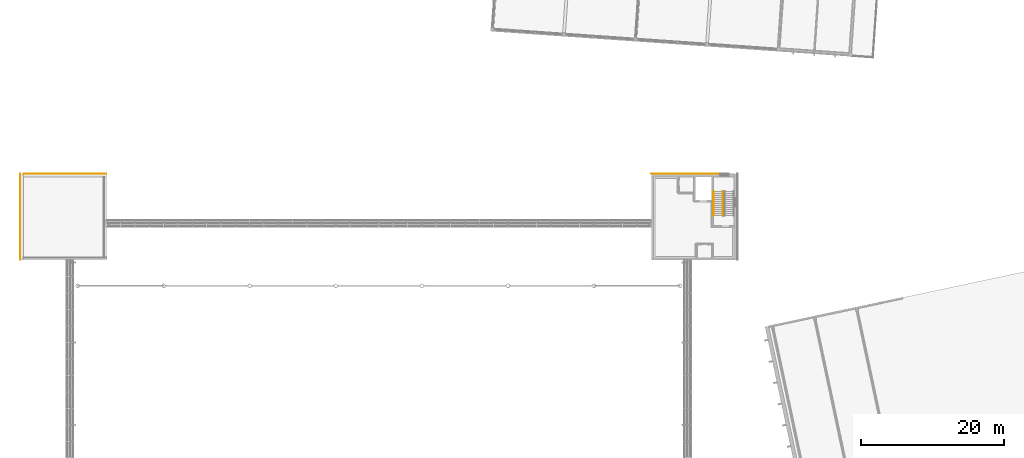
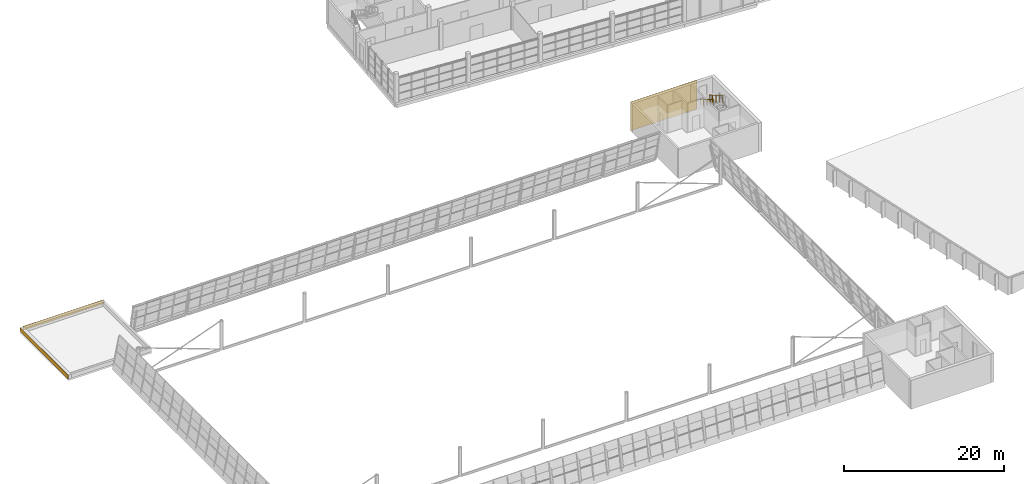
# One storey, part 47 of 50: 3 coverings, 2 railings.
"""IFC4 building model written with IfcOpenShell, lengths in metres."""

from ifc_helpers import new_model, si_unit, direction, frame, origin, origin_2d, place, context, subcontext, project, spatial, polyline, circle, outline, extrude, material, layer, layer_set, type_object, element, save


model = new_model("IFC4")

# Units and contexts
model_context = context("Model", 3, precision=1e-05, world=origin(), true_north=direction((0.0, 1.0)))
body_context = subcontext(model_context, "Body", "Model", "MODEL_VIEW")
ifc_project = project(units=[si_unit("LENGTHUNIT", "METRE"), si_unit("AREAUNIT", "SQUARE_METRE"), si_unit("VOLUMEUNIT", "CUBIC_METRE"), si_unit("PLANEANGLEUNIT", "RADIAN"), si_unit("MASSUNIT", "GRAM", prefix="KILO")], contexts=[model_context])

# Site, building, storey
site_placement = place(None, origin())
site = spatial("IfcSite", under=ifc_project, at=site_placement, CompositionType="ELEMENT")
building_placement = place(site_placement, origin())
building = spatial("IfcBuilding", under=site, at=building_placement, Name="Windward Yard Aquatics Centre", CompositionType="ELEMENT")
storey_placement = place(building_placement, frame((0.0, 0.0, 18.199951171875)))
storey = spatial("IfcBuildingStorey", under=building, at=storey_placement, Name="L04", CompositionType="ELEMENT", Elevation=18.199951171875)

# Railings
ifc_material_1 = material(Name="Stainless steel 1.4529", Category="steel")
railing_type_1 = type_object("IfcRailingType", Name="H Guard Steel 1100", PredefinedType="GUARDRAIL", material=ifc_material_1)
railing_1_placement = place(storey_placement, frame((149.949951171875, 93.56005859375, 2.369384765625)))
element("IfcRailing", 1, at=railing_1_placement, inside=storey, type_object=railing_type_1, Name="L04 ST4 stair guard 3", PredefinedType="GUARDRAIL", context=body_context, shape_type="SweptSolid", body=[
    extrude(circle(Radius=0.02392578125, at=origin_2d()), frame((0.0, 0.0, 1.076171875), z_axis=(0.0, -0.855836976705, 0.517245656632), x_axis=(1.0, 0.0, 0.0)), (0.0, 0.0, 1.0), 3.926025390625),
    extrude(circle(Radius=0.02099609375, at=origin_2d()), origin(), (0.0, 0.0, 1.0), 1.052001953125),
    extrude(circle(Radius=0.02099609375, at=origin_2d()), frame((0.0, -0.840087890625, 0.5078125)), (0.0, 0.0, 1.0), 1.052001953125),
    extrude(circle(Radius=0.02099609375, at=origin_2d()), frame((0.0, -1.68017578125, 1.015380859375)), (0.0, 0.0, 1.0), 1.052001953125),
    extrude(circle(Radius=0.02099609375, at=origin_2d()), frame((0.0, -2.52001953125, 1.52294921875)), (0.0, 0.0, 1.0), 1.052001953125),
    extrude(circle(Radius=0.02099609375, at=origin_2d()), frame((0.0, -3.360107421875, 2.03076171875)), (0.0, 0.0, 1.0), 1.052001953125),
])
railing_type_2 = type_object("IfcRailingType", Name="H Handrail Steel 900", PredefinedType="HANDRAIL", material=ifc_material_1)
railing_2_placement = place(storey_placement, frame((148.64990234375, 93.56005859375, 2.369384765625)))
element("IfcRailing", 2, at=railing_2_placement, inside=storey, type_object=railing_type_2, Name="L04 ST4 stair handrail 2", PredefinedType="HANDRAIL", context=body_context, shape_type="SweptSolid", body=[
    extrude(circle(Radius=0.02392578125, at=origin_2d()), frame((0.0, 0.0, 0.8759765625), z_axis=(0.0, -0.855836976705, 0.517245656632), x_axis=(1.0, 0.0, 0.0)), (0.0, 0.0, 1.0), 3.926025390625),
    extrude(circle(Radius=0.02099609375, at=origin_2d()), origin(), (0.0, 0.0, 1.0), 0.851806640625),
    extrude(circle(Radius=0.02099609375, at=origin_2d()), frame((0.0, -0.840087890625, 0.5078125)), (0.0, 0.0, 1.0), 0.851806640625),
    extrude(circle(Radius=0.02099609375, at=origin_2d()), frame((0.0, -1.68017578125, 1.015380859375)), (0.0, 0.0, 1.0), 0.851806640625),
    extrude(circle(Radius=0.02099609375, at=origin_2d()), frame((0.0, -2.52001953125, 1.52294921875)), (0.0, 0.0, 1.0), 0.851806640625),
    extrude(circle(Radius=0.02099609375, at=origin_2d()), frame((0.0, -3.360107421875, 2.03076171875)), (0.0, 0.0, 1.0), 0.851806640625),
])

# Coverings
ifc_material_2 = material(Name="Natural limestone cladding", Category="masonry")
ifc_layer = layer(ifc_material_2, 0.0400390625)
ifc_layer_set = layer_set([ifc_layer], Name="H natural stone cladding 40")
covering_type = type_object("IfcCoveringType", Name="H natural stone cladding 40", PredefinedType="CLADDING", material=ifc_layer_set)
covering_1_placement = place(storey_placement, frame((0.0, 0.0, 0.25)))
element("IfcCovering", 3, at=covering_1_placement, inside=storey, type_object=covering_type, Name="Stone cladding panel 5", PredefinedType="CLADDING", context=body_context, shape_type="SweptSolid", body=[
    extrude(outline(polyline([(52.449951171875, 96.0), (64.0, 96.0), (64.0, 96.0400390625), (52.449951171875, 96.0400390625), (52.449951171875, 96.0)])), origin(), (0.0, 0.0, 1.0), 0.60009765625),
])
covering_2_placement = place(storey_placement, frame((0.0, 0.0, 0.25)))
element("IfcCovering", 4, at=covering_2_placement, inside=storey, type_object=covering_type, Name="Stone cladding panel 7", PredefinedType="CLADDING", context=body_context, shape_type="SweptSolid", body=[
    extrude(outline(polyline([(51.9599609375, 84.0), (51.9599609375, 96.0), (52.0, 96.0), (52.0, 84.0), (51.9599609375, 84.0)])), origin(), (0.0, 0.0, 1.0), 0.60009765625),
])
covering_3_placement = place(storey_placement, origin())
element("IfcCovering", 5, at=covering_3_placement, inside=storey, type_object=covering_type, Name="Stone cladding panel 57", PredefinedType="CLADDING", context=body_context, shape_type="SweptSolid", body=[
    extrude(outline(polyline([(140.0, 96.0), (140.0, 96.0400390625), (149.60009765625, 96.0400390625), (149.60009765625, 96.0), (140.0, 96.0)])), origin(), (0.0, 0.0, 1.0), 4.400146484375),
])

save(model, "model.ifc")
